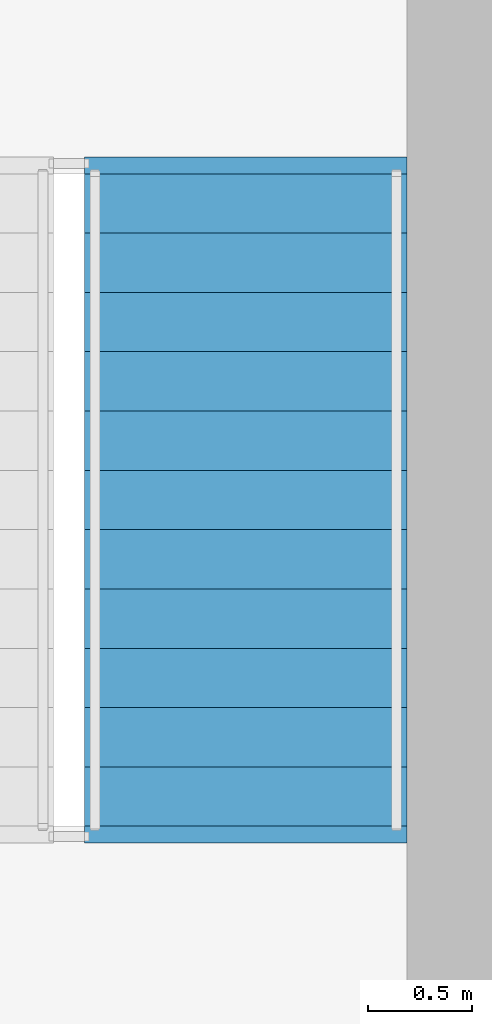
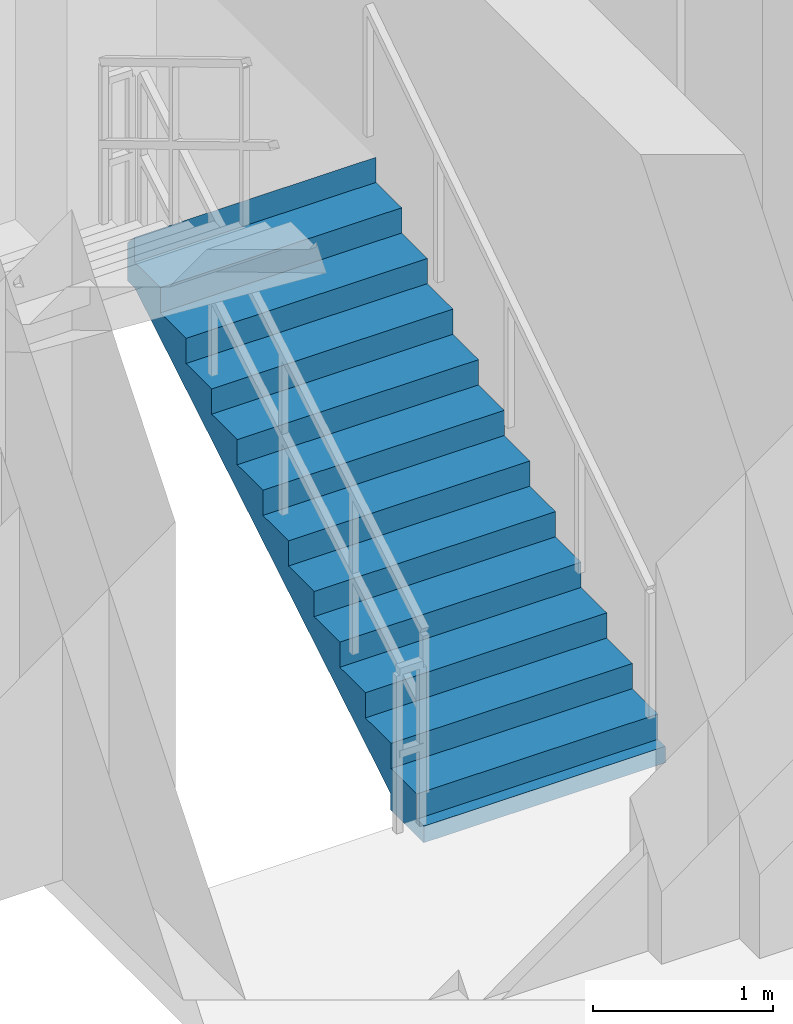
# One storey, part 8 of 11: 1 stair flight, 1 element without a shape of its own.
"""IFC4 building model written with IfcOpenShell, lengths in metres."""

from ifc_helpers import new_model, si_unit, direction, frame, origin, place, context, subcontext, project, spatial, polyline, outline, extrude, material, type_object, element, aggregate, save


model = new_model("IFC4")

# Units and contexts
model_context = context("Model", 3, precision=1e-05, world=origin(), true_north=direction((0.0, 1.0)))
body_context = subcontext(model_context, "Body", "Model", "MODEL_VIEW")
ifc_project = project(units=[si_unit("LENGTHUNIT", "METRE"), si_unit("AREAUNIT", "SQUARE_METRE"), si_unit("VOLUMEUNIT", "CUBIC_METRE"), si_unit("PLANEANGLEUNIT", "RADIAN"), si_unit("MASSUNIT", "GRAM", prefix="KILO")], contexts=[model_context])

# Site, building, storey
site_placement = place(None, origin())
site = spatial("IfcSite", under=ifc_project, at=site_placement, CompositionType="ELEMENT")
building_placement = place(site_placement, origin())
building = spatial("IfcBuilding", under=site, at=building_placement, Name="Apsidion Concourse Tower", CompositionType="ELEMENT")
storey_placement = place(building_placement, frame((0.0, 0.0, 252.699951171875)))
storey = spatial("IfcBuildingStorey", under=building, at=storey_placement, Name="L59", CompositionType="ELEMENT", Elevation=252.699951171875)

# Stair, stair flight
ifc_material = material(Name="Precast concrete C40/50", Category="concrete")
stair_type = type_object("IfcStairType", Name="ST-DL-1550", PredefinedType="HALF_TURN_STAIR", material=ifc_material)
stair_placement = place(storey_placement, origin())
stair = element("IfcStair", 1, at=stair_placement, inside=storey, type_object=stair_type, Name="L59 Protected Core Exit Stair ST2", PredefinedType="HALF_TURN_STAIR")
stair_flight_type = type_object("IfcStairFlightType", Name="SFL-RC-1550", PredefinedType="STRAIGHT", material=ifc_material)
stair_flight_placement = place(storey_placement, frame((6.425048828125, 3.0, 0.0), z_axis=(0.0, 0.0, 1.0), x_axis=(0.0, 1.0, 0.0)))
stair_flight = element("IfcStairFlight", 2, at=stair_flight_placement, type_object=stair_flight_type, Name="ST2 flight 1", NumberOfRisers=12, NumberOfTreads=11, PredefinedType="STRAIGHT", RiserHeight=0.170833333, TreadLength=0.285, context=body_context, shape_type="SweptSolid", body=[
    extrude(outline(polyline([(-0.080078125, -0.1123046875), (-0.080078125, 0.0), (0.0, 0.0), (0.0, 0.1708984375), (0.284912109375, 0.1708984375), (0.284912109375, 0.341552734375), (0.570068359375, 0.341552734375), (0.570068359375, 0.512451171875), (0.85498046875, 0.512451171875), (0.85498046875, 0.683349609375), (1.139892578125, 0.683349609375), (1.139892578125, 0.854248046875), (1.425048828125, 0.854248046875), (1.425048828125, 1.02490234375), (1.7099609375, 1.02490234375), (1.7099609375, 1.19580078125), (1.9951171875, 1.19580078125), (1.9951171875, 1.36669921875), (2.280029296875, 1.36669921875), (2.280029296875, 1.53759765625), (2.56494140625, 1.53759765625), (2.56494140625, 1.708251953125), (2.85009765625, 1.708251953125), (2.85009765625, 1.879150390625), (3.135009765625, 1.879150390625), (3.135009765625, 2.050048828125), (3.215087890625, 1.964599609375), (3.215087890625, 1.704345703125), (3.135009765625, 1.704345703125), (0.29150390625, 0.0), (0.29150390625, -0.1123046875), (-0.080078125, -0.1123046875)])), frame((0.0, 0.77490234375, 0.0), z_axis=(0.0, -1.0, 0.0), x_axis=(1.0, 0.0, 0.0)), (0.0, 0.0, 1.0), 1.550048828125),
])
aggregate(stair, [stair_flight])

save(model, "model.ifc")
